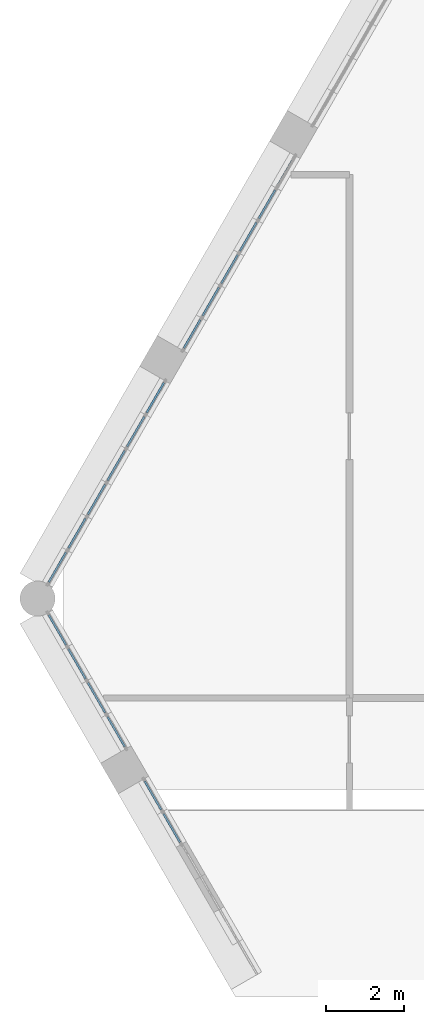
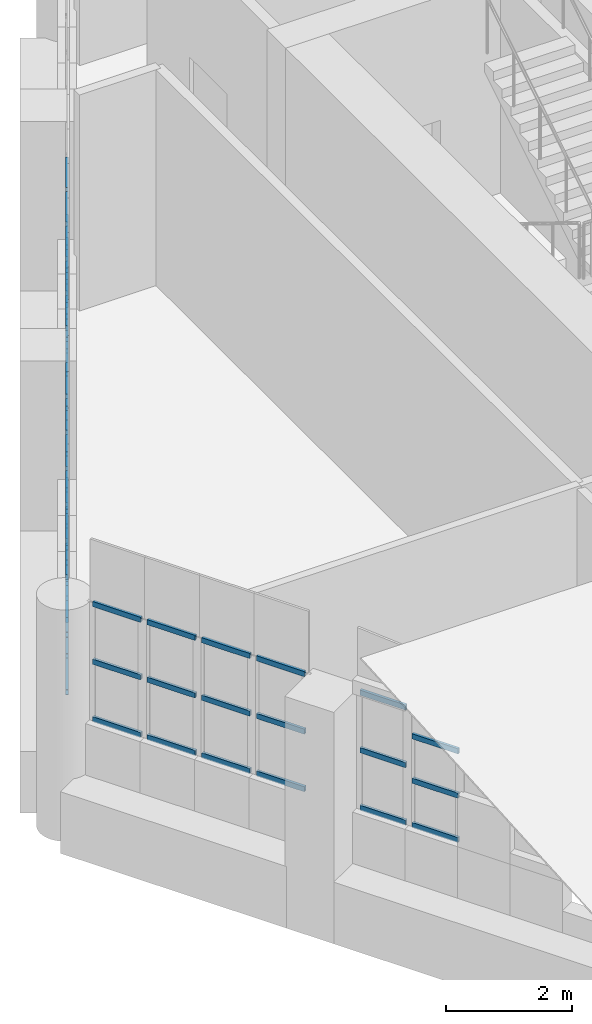
# One storey, part 13 of 23: 52 members, 18 elements without a shape of their own.
"""IFC4 building model written with IfcOpenShell, lengths in metres."""

from ifc_helpers import new_model, si_unit, direction, frame, origin, origin_2d, place, context, subcontext, project, spatial, hollow_rectangle, extrude, material, material_profile, profile_set, type_object, element, aggregate, save


model = new_model("IFC4")

# Units and contexts
model_context = context("Model", 3, precision=1e-05, world=origin(), true_north=direction((0.0, 1.0)))
body_context = subcontext(model_context, "Body", "Model", "MODEL_VIEW")
ifc_project = project(units=[si_unit("LENGTHUNIT", "METRE"), si_unit("AREAUNIT", "SQUARE_METRE"), si_unit("VOLUMEUNIT", "CUBIC_METRE"), si_unit("PLANEANGLEUNIT", "RADIAN"), si_unit("MASSUNIT", "GRAM", prefix="KILO")], contexts=[model_context])

# Site, building, storey
site_placement = place(None, origin())
site = spatial("IfcSite", under=ifc_project, at=site_placement, CompositionType="ELEMENT")
building_placement = place(site_placement, origin())
building = spatial("IfcBuilding", under=site, at=building_placement, Name="Ostrander Bayou Hotel Tower", CompositionType="ELEMENT")
storey_placement = place(building_placement, frame((0.0, 0.0, 279.5)))
storey = spatial("IfcBuildingStorey", under=building, at=storey_placement, Name="L69", CompositionType="ELEMENT", Elevation=279.5)

# Curtain wall, member
ifc_material_1 = material(Name="Aluminium and clear glass", Category="aluminium")
curtain_wall_type = type_object("IfcCurtainWallType", Name="CW-CROWN glazed wall", PredefinedType="NOTDEFINED", material=ifc_material_1)
curtain_wall_1_placement = place(storey_placement, origin())
curtain_wall_1 = element("IfcCurtainWall", 1, at=curtain_wall_1_placement, inside=storey, type_object=curtain_wall_type, Name="CW-CROWN L69:NW-2-1", PredefinedType="NOTDEFINED")
ifc_material_2 = material(Name="Aluminium", Category="aluminium")
ifc_material_profile = material_profile(ifc_material_2, hollow_rectangle(XDim=0.050048828125, YDim=0.10009765625, WallThickness=0.00390625, at=origin_2d()))
ifc_profile_set = profile_set([ifc_material_profile], Name="Aluminium")
member_type = type_object("IfcMemberType", Name="CW-CR transom 50 x 100 mm", PredefinedType="USERDEFINED", material=ifc_profile_set)
member_1_placement = place(storey_placement, frame((-11.92138671875, 10.138427734375, 1.030029296875), z_axis=(-0.500016035621, -0.866016145416, 0.0), x_axis=(0.866016145416, -0.500016035621, 0.0)))
member_1 = element("IfcMember", 2, at=member_1_placement, type_object=member_type, Name="CW-CROWN transom 1.1", ObjectType="TRANSOM", PredefinedType="USERDEFINED", context=body_context, shape_type="SweptSolid", body=[
    extrude(hollow_rectangle(XDim=0.050048828125, YDim=0.10009765625, WallThickness=0.00390625, at=origin_2d()), origin(), (0.0, 0.0, 1.0), 0.83984375),
])
aggregate(curtain_wall_1, [member_1])

# Curtain wall, members
curtain_wall_2_placement = place(storey_placement, origin())
curtain_wall_2 = element("IfcCurtainWall", 3, at=curtain_wall_2_placement, inside=storey, type_object=curtain_wall_type, Name="CW-CROWN L69:NW-2-2", PredefinedType="NOTDEFINED")
member_2_placement = place(storey_placement, frame((-12.4013671875, 9.30712890625, 1.030029296875), z_axis=(-0.500141944548, -0.86594343655, 0.0), x_axis=(0.86594343655, -0.500141944548, 0.0)))
member_2 = element("IfcMember", 4, at=member_2_placement, type_object=member_type, Name="CW-CROWN transom 1.1", ObjectType="TRANSOM", PredefinedType="USERDEFINED", context=body_context, shape_type="SweptSolid", body=[
    extrude(hollow_rectangle(XDim=0.050048828125, YDim=0.10009765625, WallThickness=0.00390625, at=origin_2d()), origin(), (0.0, 0.0, 1.0), 0.839599609375),
])
member_3_placement = place(storey_placement, frame((-12.4013671875, 9.30712890625, 2.14990234375), z_axis=(-0.500141944548, -0.86594343655, 0.0), x_axis=(0.86594343655, -0.500141944548, 0.0)))
member_3 = element("IfcMember", 5, at=member_3_placement, type_object=member_type, Name="CW-CROWN transom 1.2", ObjectType="TRANSOM", PredefinedType="USERDEFINED", context=body_context, shape_type="SweptSolid", body=[
    extrude(hollow_rectangle(XDim=0.050048828125, YDim=0.10009765625, WallThickness=0.00390625, at=origin_2d()), origin(), (0.0, 0.0, 1.0), 0.839599609375),
])
member_4_placement = place(storey_placement, frame((-12.4013671875, 9.30712890625, 3.27001953125), z_axis=(-0.500141944548, -0.86594343655, 0.0), x_axis=(0.86594343655, -0.500141944548, 0.0)))
member_4 = element("IfcMember", 6, at=member_4_placement, type_object=member_type, Name="CW-CROWN transom 1.3", ObjectType="TRANSOM", PredefinedType="USERDEFINED", context=body_context, shape_type="SweptSolid", body=[
    extrude(hollow_rectangle(XDim=0.050048828125, YDim=0.10009765625, WallThickness=0.00390625, at=origin_2d()), origin(), (0.0, 0.0, 1.0), 0.839599609375),
])
aggregate(curtain_wall_2, [member_2, member_3, member_4])

curtain_wall_3_placement = place(storey_placement, origin())
curtain_wall_3 = element("IfcCurtainWall", 7, at=curtain_wall_3_placement, inside=storey, type_object=curtain_wall_type, Name="CW-CROWN L69:NW-2-3", PredefinedType="NOTDEFINED")
member_5_placement = place(storey_placement, frame((-12.88134765625, 8.47607421875, 1.030029296875), z_axis=(-0.500016035621, -0.866016145416, 0.0), x_axis=(0.866016145416, -0.500016035621, 0.0)))
member_5 = element("IfcMember", 8, at=member_5_placement, type_object=member_type, Name="CW-CROWN transom 1.1", ObjectType="TRANSOM", PredefinedType="USERDEFINED", context=body_context, shape_type="SweptSolid", body=[
    extrude(hollow_rectangle(XDim=0.050048828125, YDim=0.10009765625, WallThickness=0.00390625, at=origin_2d()), origin(), (0.0, 0.0, 1.0), 0.83984375),
])
member_6_placement = place(storey_placement, frame((-12.88134765625, 8.47607421875, 2.14990234375), z_axis=(-0.500016035621, -0.866016145416, 0.0), x_axis=(0.866016145416, -0.500016035621, 0.0)))
member_6 = element("IfcMember", 9, at=member_6_placement, type_object=member_type, Name="CW-CROWN transom 1.2", ObjectType="TRANSOM", PredefinedType="USERDEFINED", context=body_context, shape_type="SweptSolid", body=[
    extrude(hollow_rectangle(XDim=0.050048828125, YDim=0.10009765625, WallThickness=0.00390625, at=origin_2d()), origin(), (0.0, 0.0, 1.0), 0.83984375),
])
member_7_placement = place(storey_placement, frame((-12.88134765625, 8.47607421875, 3.27001953125), z_axis=(-0.500016035621, -0.866016145416, 0.0), x_axis=(0.866016145416, -0.500016035621, 0.0)))
member_7 = element("IfcMember", 10, at=member_7_placement, type_object=member_type, Name="CW-CROWN transom 1.3", ObjectType="TRANSOM", PredefinedType="USERDEFINED", context=body_context, shape_type="SweptSolid", body=[
    extrude(hollow_rectangle(XDim=0.050048828125, YDim=0.10009765625, WallThickness=0.00390625, at=origin_2d()), origin(), (0.0, 0.0, 1.0), 0.83984375),
])
aggregate(curtain_wall_3, [member_5, member_6, member_7])

curtain_wall_4_placement = place(storey_placement, origin())
curtain_wall_4 = element("IfcCurtainWall", 11, at=curtain_wall_4_placement, inside=storey, type_object=curtain_wall_type, Name="CW-CROWN L69:NW-2-4", PredefinedType="NOTDEFINED")
member_8_placement = place(storey_placement, frame((-13.361083984375, 7.644775390625, 1.030029296875), z_axis=(-0.500016035621, -0.866016145416, 0.0), x_axis=(0.866016145416, -0.500016035621, 0.0)))
member_8 = element("IfcMember", 12, at=member_8_placement, type_object=member_type, Name="CW-CROWN transom 1.1", ObjectType="TRANSOM", PredefinedType="USERDEFINED", context=body_context, shape_type="SweptSolid", body=[
    extrude(hollow_rectangle(XDim=0.050048828125, YDim=0.10009765625, WallThickness=0.00390625, at=origin_2d()), origin(), (0.0, 0.0, 1.0), 0.83984375),
])
member_9_placement = place(storey_placement, frame((-13.361083984375, 7.644775390625, 2.14990234375), z_axis=(-0.500016035621, -0.866016145416, 0.0), x_axis=(0.866016145416, -0.500016035621, 0.0)))
member_9 = element("IfcMember", 13, at=member_9_placement, type_object=member_type, Name="CW-CROWN transom 1.2", ObjectType="TRANSOM", PredefinedType="USERDEFINED", context=body_context, shape_type="SweptSolid", body=[
    extrude(hollow_rectangle(XDim=0.050048828125, YDim=0.10009765625, WallThickness=0.00390625, at=origin_2d()), origin(), (0.0, 0.0, 1.0), 0.83984375),
])
member_10_placement = place(storey_placement, frame((-13.361083984375, 7.644775390625, 3.27001953125), z_axis=(-0.500016035621, -0.866016145416, 0.0), x_axis=(0.866016145416, -0.500016035621, 0.0)))
member_10 = element("IfcMember", 14, at=member_10_placement, type_object=member_type, Name="CW-CROWN transom 1.3", ObjectType="TRANSOM", PredefinedType="USERDEFINED", context=body_context, shape_type="SweptSolid", body=[
    extrude(hollow_rectangle(XDim=0.050048828125, YDim=0.10009765625, WallThickness=0.00390625, at=origin_2d()), origin(), (0.0, 0.0, 1.0), 0.83984375),
])
aggregate(curtain_wall_4, [member_8, member_9, member_10])

curtain_wall_5_placement = place(storey_placement, origin())
curtain_wall_5 = element("IfcCurtainWall", 15, at=curtain_wall_5_placement, inside=storey, type_object=curtain_wall_type, Name="CW-CROWN L69:NW-2-5", PredefinedType="NOTDEFINED")
member_11_placement = place(storey_placement, frame((-13.841064453125, 6.8134765625, 1.030029296875), z_axis=(-0.500016035621, -0.866016145416, 0.0), x_axis=(0.866016145416, -0.500016035621, 0.0)))
member_11 = element("IfcMember", 16, at=member_11_placement, type_object=member_type, Name="CW-CROWN transom 1.1", ObjectType="TRANSOM", PredefinedType="USERDEFINED", context=body_context, shape_type="SweptSolid", body=[
    extrude(hollow_rectangle(XDim=0.050048828125, YDim=0.10009765625, WallThickness=0.00390625, at=origin_2d()), origin(), (0.0, 0.0, 1.0), 0.83984375),
])
member_12_placement = place(storey_placement, frame((-13.841064453125, 6.8134765625, 2.14990234375), z_axis=(-0.500016035621, -0.866016145416, 0.0), x_axis=(0.866016145416, -0.500016035621, 0.0)))
member_12 = element("IfcMember", 17, at=member_12_placement, type_object=member_type, Name="CW-CROWN transom 1.2", ObjectType="TRANSOM", PredefinedType="USERDEFINED", context=body_context, shape_type="SweptSolid", body=[
    extrude(hollow_rectangle(XDim=0.050048828125, YDim=0.10009765625, WallThickness=0.00390625, at=origin_2d()), origin(), (0.0, 0.0, 1.0), 0.83984375),
])
member_13_placement = place(storey_placement, frame((-13.841064453125, 6.8134765625, 3.27001953125), z_axis=(-0.500016035621, -0.866016145416, 0.0), x_axis=(0.866016145416, -0.500016035621, 0.0)))
member_13 = element("IfcMember", 18, at=member_13_placement, type_object=member_type, Name="CW-CROWN transom 1.3", ObjectType="TRANSOM", PredefinedType="USERDEFINED", context=body_context, shape_type="SweptSolid", body=[
    extrude(hollow_rectangle(XDim=0.050048828125, YDim=0.10009765625, WallThickness=0.00390625, at=origin_2d()), origin(), (0.0, 0.0, 1.0), 0.83984375),
])
aggregate(curtain_wall_5, [member_11, member_12, member_13])

curtain_wall_6_placement = place(storey_placement, origin())
curtain_wall_6 = element("IfcCurtainWall", 19, at=curtain_wall_6_placement, inside=storey, type_object=curtain_wall_type, Name="CW-CROWN L69:NW-2-6", PredefinedType="NOTDEFINED")
member_14_placement = place(storey_placement, frame((-14.321044921875, 5.982421875, 1.030029296875), z_axis=(-0.500016035621, -0.866016145416, 0.0), x_axis=(0.866016145416, -0.500016035621, 0.0)))
member_14 = element("IfcMember", 20, at=member_14_placement, type_object=member_type, Name="CW-CROWN transom 1.1", ObjectType="TRANSOM", PredefinedType="USERDEFINED", context=body_context, shape_type="SweptSolid", body=[
    extrude(hollow_rectangle(XDim=0.050048828125, YDim=0.10009765625, WallThickness=0.00390625, at=origin_2d()), origin(), (0.0, 0.0, 1.0), 0.83984375),
])
member_15_placement = place(storey_placement, frame((-14.321044921875, 5.982421875, 2.14990234375), z_axis=(-0.500016035621, -0.866016145416, 0.0), x_axis=(0.866016145416, -0.500016035621, 0.0)))
member_15 = element("IfcMember", 21, at=member_15_placement, type_object=member_type, Name="CW-CROWN transom 1.2", ObjectType="TRANSOM", PredefinedType="USERDEFINED", context=body_context, shape_type="SweptSolid", body=[
    extrude(hollow_rectangle(XDim=0.050048828125, YDim=0.10009765625, WallThickness=0.00390625, at=origin_2d()), origin(), (0.0, 0.0, 1.0), 0.83984375),
])
member_16_placement = place(storey_placement, frame((-14.321044921875, 5.982421875, 3.27001953125), z_axis=(-0.500016035621, -0.866016145416, 0.0), x_axis=(0.866016145416, -0.500016035621, 0.0)))
member_16 = element("IfcMember", 22, at=member_16_placement, type_object=member_type, Name="CW-CROWN transom 1.3", ObjectType="TRANSOM", PredefinedType="USERDEFINED", context=body_context, shape_type="SweptSolid", body=[
    extrude(hollow_rectangle(XDim=0.050048828125, YDim=0.10009765625, WallThickness=0.00390625, at=origin_2d()), origin(), (0.0, 0.0, 1.0), 0.83984375),
])
aggregate(curtain_wall_6, [member_14, member_15, member_16])

curtain_wall_7_placement = place(storey_placement, origin())
curtain_wall_7 = element("IfcCurtainWall", 23, at=curtain_wall_7_placement, inside=storey, type_object=curtain_wall_type, Name="CW-CROWN L69:NW-3-1", PredefinedType="NOTDEFINED")
member_17_placement = place(storey_placement, frame((-15.2509765625, 4.371826171875, 1.030029296875), z_axis=(-0.499826157957, -0.866125748273, 0.0), x_axis=(0.866125748273, -0.499826157957, 0.0)))
member_17 = element("IfcMember", 24, at=member_17_placement, type_object=member_type, Name="CW-CROWN transom 1.1", ObjectType="TRANSOM", PredefinedType="USERDEFINED", context=body_context, shape_type="SweptSolid", body=[
    extrude(hollow_rectangle(XDim=0.050048828125, YDim=0.10009765625, WallThickness=0.00390625, at=origin_2d()), origin(), (0.0, 0.0, 1.0), 0.883056640625),
])
member_18_placement = place(storey_placement, frame((-15.2509765625, 4.371826171875, 2.14990234375), z_axis=(-0.499826157957, -0.866125748273, 0.0), x_axis=(0.866125748273, -0.499826157957, 0.0)))
member_18 = element("IfcMember", 25, at=member_18_placement, type_object=member_type, Name="CW-CROWN transom 1.2", ObjectType="TRANSOM", PredefinedType="USERDEFINED", context=body_context, shape_type="SweptSolid", body=[
    extrude(hollow_rectangle(XDim=0.050048828125, YDim=0.10009765625, WallThickness=0.00390625, at=origin_2d()), origin(), (0.0, 0.0, 1.0), 0.883056640625),
])
member_19_placement = place(storey_placement, frame((-15.2509765625, 4.371826171875, 3.27001953125), z_axis=(-0.499826157957, -0.866125748273, 0.0), x_axis=(0.866125748273, -0.499826157957, 0.0)))
member_19 = element("IfcMember", 26, at=member_19_placement, type_object=member_type, Name="CW-CROWN transom 1.3", ObjectType="TRANSOM", PredefinedType="USERDEFINED", context=body_context, shape_type="SweptSolid", body=[
    extrude(hollow_rectangle(XDim=0.050048828125, YDim=0.10009765625, WallThickness=0.00390625, at=origin_2d()), origin(), (0.0, 0.0, 1.0), 0.883056640625),
])
aggregate(curtain_wall_7, [member_17, member_18, member_19])

curtain_wall_8_placement = place(storey_placement, origin())
curtain_wall_8 = element("IfcCurtainWall", 27, at=curtain_wall_8_placement, inside=storey, type_object=curtain_wall_type, Name="CW-CROWN L69:NW-3-2", PredefinedType="NOTDEFINED")
member_20_placement = place(storey_placement, frame((-15.75244140625, 3.5029296875, 1.030029296875), z_axis=(-0.500153222552, -0.865936922628, 0.0), x_axis=(0.865936922628, -0.500153222552, 0.0)))
member_20 = element("IfcMember", 28, at=member_20_placement, type_object=member_type, Name="CW-CROWN transom 1.1", ObjectType="TRANSOM", PredefinedType="USERDEFINED", context=body_context, shape_type="SweptSolid", body=[
    extrude(hollow_rectangle(XDim=0.050048828125, YDim=0.10009765625, WallThickness=0.00390625, at=origin_2d()), origin(), (0.0, 0.0, 1.0), 0.883056640625),
])
member_21_placement = place(storey_placement, frame((-15.75244140625, 3.5029296875, 2.14990234375), z_axis=(-0.500153222552, -0.865936922628, 0.0), x_axis=(0.865936922628, -0.500153222552, 0.0)))
member_21 = element("IfcMember", 29, at=member_21_placement, type_object=member_type, Name="CW-CROWN transom 1.2", ObjectType="TRANSOM", PredefinedType="USERDEFINED", context=body_context, shape_type="SweptSolid", body=[
    extrude(hollow_rectangle(XDim=0.050048828125, YDim=0.10009765625, WallThickness=0.00390625, at=origin_2d()), origin(), (0.0, 0.0, 1.0), 0.883056640625),
])
member_22_placement = place(storey_placement, frame((-15.75244140625, 3.5029296875, 3.27001953125), z_axis=(-0.500153222552, -0.865936922628, 0.0), x_axis=(0.865936922628, -0.500153222552, 0.0)))
member_22 = element("IfcMember", 30, at=member_22_placement, type_object=member_type, Name="CW-CROWN transom 1.3", ObjectType="TRANSOM", PredefinedType="USERDEFINED", context=body_context, shape_type="SweptSolid", body=[
    extrude(hollow_rectangle(XDim=0.050048828125, YDim=0.10009765625, WallThickness=0.00390625, at=origin_2d()), origin(), (0.0, 0.0, 1.0), 0.883056640625),
])
aggregate(curtain_wall_8, [member_20, member_21, member_22])

curtain_wall_9_placement = place(storey_placement, origin())
curtain_wall_9 = element("IfcCurtainWall", 31, at=curtain_wall_9_placement, inside=storey, type_object=curtain_wall_type, Name="CW-CROWN L69:NW-3-3", PredefinedType="NOTDEFINED")
member_23_placement = place(storey_placement, frame((-16.25390625, 2.63427734375, 1.030029296875), z_axis=(-0.500153222552, -0.865936922628, 0.0), x_axis=(0.865936922628, -0.500153222552, 0.0)))
member_23 = element("IfcMember", 32, at=member_23_placement, type_object=member_type, Name="CW-CROWN transom 1.1", ObjectType="TRANSOM", PredefinedType="USERDEFINED", context=body_context, shape_type="SweptSolid", body=[
    extrude(hollow_rectangle(XDim=0.050048828125, YDim=0.10009765625, WallThickness=0.00390625, at=origin_2d()), origin(), (0.0, 0.0, 1.0), 0.883056640625),
])
member_24_placement = place(storey_placement, frame((-16.25390625, 2.63427734375, 2.14990234375), z_axis=(-0.500153222552, -0.865936922628, 0.0), x_axis=(0.865936922628, -0.500153222552, 0.0)))
member_24 = element("IfcMember", 33, at=member_24_placement, type_object=member_type, Name="CW-CROWN transom 1.2", ObjectType="TRANSOM", PredefinedType="USERDEFINED", context=body_context, shape_type="SweptSolid", body=[
    extrude(hollow_rectangle(XDim=0.050048828125, YDim=0.10009765625, WallThickness=0.00390625, at=origin_2d()), origin(), (0.0, 0.0, 1.0), 0.883056640625),
])
member_25_placement = place(storey_placement, frame((-16.25390625, 2.63427734375, 3.27001953125), z_axis=(-0.500153222552, -0.865936922628, 0.0), x_axis=(0.865936922628, -0.500153222552, 0.0)))
member_25 = element("IfcMember", 34, at=member_25_placement, type_object=member_type, Name="CW-CROWN transom 1.3", ObjectType="TRANSOM", PredefinedType="USERDEFINED", context=body_context, shape_type="SweptSolid", body=[
    extrude(hollow_rectangle(XDim=0.050048828125, YDim=0.10009765625, WallThickness=0.00390625, at=origin_2d()), origin(), (0.0, 0.0, 1.0), 0.883056640625),
])
aggregate(curtain_wall_9, [member_23, member_24, member_25])

curtain_wall_10_placement = place(storey_placement, origin())
curtain_wall_10 = element("IfcCurtainWall", 35, at=curtain_wall_10_placement, inside=storey, type_object=curtain_wall_type, Name="CW-CROWN L69:NW-3-4", PredefinedType="NOTDEFINED")
member_26_placement = place(storey_placement, frame((-16.755615234375, 1.765625, 1.030029296875), z_axis=(-0.499945861543, -0.866056658381, 0.0), x_axis=(0.866056658381, -0.499945861543, 0.0)))
member_26 = element("IfcMember", 36, at=member_26_placement, type_object=member_type, Name="CW-CROWN transom 1.1", ObjectType="TRANSOM", PredefinedType="USERDEFINED", context=body_context, shape_type="SweptSolid", body=[
    extrude(hollow_rectangle(XDim=0.050048828125, YDim=0.10009765625, WallThickness=0.00390625, at=origin_2d()), origin(), (0.0, 0.0, 1.0), 0.8828125),
])
member_27_placement = place(storey_placement, frame((-16.755615234375, 1.765625, 2.14990234375), z_axis=(-0.499945861543, -0.866056658381, 0.0), x_axis=(0.866056658381, -0.499945861543, 0.0)))
member_27 = element("IfcMember", 37, at=member_27_placement, type_object=member_type, Name="CW-CROWN transom 1.2", ObjectType="TRANSOM", PredefinedType="USERDEFINED", context=body_context, shape_type="SweptSolid", body=[
    extrude(hollow_rectangle(XDim=0.050048828125, YDim=0.10009765625, WallThickness=0.00390625, at=origin_2d()), origin(), (0.0, 0.0, 1.0), 0.8828125),
])
member_28_placement = place(storey_placement, frame((-16.755615234375, 1.765625, 3.27001953125), z_axis=(-0.499945861543, -0.866056658381, 0.0), x_axis=(0.866056658381, -0.499945861543, 0.0)))
member_28 = element("IfcMember", 38, at=member_28_placement, type_object=member_type, Name="CW-CROWN transom 1.3", ObjectType="TRANSOM", PredefinedType="USERDEFINED", context=body_context, shape_type="SweptSolid", body=[
    extrude(hollow_rectangle(XDim=0.050048828125, YDim=0.10009765625, WallThickness=0.00390625, at=origin_2d()), origin(), (0.0, 0.0, 1.0), 0.8828125),
])
aggregate(curtain_wall_10, [member_26, member_27, member_28])

curtain_wall_11_placement = place(storey_placement, origin())
curtain_wall_11 = element("IfcCurtainWall", 39, at=curtain_wall_11_placement, inside=storey, type_object=curtain_wall_type, Name="CW-CROWN L69:NW-3-5", PredefinedType="NOTDEFINED")
member_29_placement = place(storey_placement, frame((-17.257080078125, 0.89697265625, 1.030029296875), z_axis=(-0.499945861543, -0.866056658381, 0.0), x_axis=(0.866056658381, -0.499945861543, 0.0)))
member_29 = element("IfcMember", 40, at=member_29_placement, type_object=member_type, Name="CW-CROWN transom 1.1", ObjectType="TRANSOM", PredefinedType="USERDEFINED", context=body_context, shape_type="SweptSolid", body=[
    extrude(hollow_rectangle(XDim=0.050048828125, YDim=0.10009765625, WallThickness=0.00390625, at=origin_2d()), origin(), (0.0, 0.0, 1.0), 0.8828125),
])
member_30_placement = place(storey_placement, frame((-17.257080078125, 0.89697265625, 2.14990234375), z_axis=(-0.499945861543, -0.866056658381, 0.0), x_axis=(0.866056658381, -0.499945861543, 0.0)))
member_30 = element("IfcMember", 41, at=member_30_placement, type_object=member_type, Name="CW-CROWN transom 1.2", ObjectType="TRANSOM", PredefinedType="USERDEFINED", context=body_context, shape_type="SweptSolid", body=[
    extrude(hollow_rectangle(XDim=0.050048828125, YDim=0.10009765625, WallThickness=0.00390625, at=origin_2d()), origin(), (0.0, 0.0, 1.0), 0.8828125),
])
member_31_placement = place(storey_placement, frame((-17.257080078125, 0.89697265625, 3.27001953125), z_axis=(-0.499945861543, -0.866056658381, 0.0), x_axis=(0.866056658381, -0.499945861543, 0.0)))
member_31 = element("IfcMember", 42, at=member_31_placement, type_object=member_type, Name="CW-CROWN transom 1.3", ObjectType="TRANSOM", PredefinedType="USERDEFINED", context=body_context, shape_type="SweptSolid", body=[
    extrude(hollow_rectangle(XDim=0.050048828125, YDim=0.10009765625, WallThickness=0.00390625, at=origin_2d()), origin(), (0.0, 0.0, 1.0), 0.8828125),
])
aggregate(curtain_wall_11, [member_29, member_30, member_31])

curtain_wall_12_placement = place(storey_placement, origin())
curtain_wall_12 = element("IfcCurtainWall", 43, at=curtain_wall_12_placement, inside=storey, type_object=curtain_wall_type, Name="CW-CROWN L69:NW-3-6", PredefinedType="NOTDEFINED")
member_32_placement = place(storey_placement, frame((-17.758544921875, 0.0283203125, 1.030029296875), z_axis=(-0.500153222552, -0.865936922628, 0.0), x_axis=(0.865936922628, -0.500153222552, 0.0)))
member_32 = element("IfcMember", 44, at=member_32_placement, type_object=member_type, Name="CW-CROWN transom 1.1", ObjectType="TRANSOM", PredefinedType="USERDEFINED", context=body_context, shape_type="SweptSolid", body=[
    extrude(hollow_rectangle(XDim=0.050048828125, YDim=0.10009765625, WallThickness=0.00390625, at=origin_2d()), origin(), (0.0, 0.0, 1.0), 0.883056640625),
])
member_33_placement = place(storey_placement, frame((-17.758544921875, 0.0283203125, 2.14990234375), z_axis=(-0.500153222552, -0.865936922628, 0.0), x_axis=(0.865936922628, -0.500153222552, 0.0)))
member_33 = element("IfcMember", 45, at=member_33_placement, type_object=member_type, Name="CW-CROWN transom 1.2", ObjectType="TRANSOM", PredefinedType="USERDEFINED", context=body_context, shape_type="SweptSolid", body=[
    extrude(hollow_rectangle(XDim=0.050048828125, YDim=0.10009765625, WallThickness=0.00390625, at=origin_2d()), origin(), (0.0, 0.0, 1.0), 0.883056640625),
])
member_34_placement = place(storey_placement, frame((-17.758544921875, 0.0283203125, 3.27001953125), z_axis=(-0.500153222552, -0.865936922628, 0.0), x_axis=(0.865936922628, -0.500153222552, 0.0)))
member_34 = element("IfcMember", 46, at=member_34_placement, type_object=member_type, Name="CW-CROWN transom 1.3", ObjectType="TRANSOM", PredefinedType="USERDEFINED", context=body_context, shape_type="SweptSolid", body=[
    extrude(hollow_rectangle(XDim=0.050048828125, YDim=0.10009765625, WallThickness=0.00390625, at=origin_2d()), origin(), (0.0, 0.0, 1.0), 0.883056640625),
])
aggregate(curtain_wall_12, [member_32, member_33, member_34])

curtain_wall_13_placement = place(storey_placement, origin())
curtain_wall_13 = element("IfcCurtainWall", 47, at=curtain_wall_13_placement, inside=storey, type_object=curtain_wall_type, Name="CW-CROWN L69:SW-1-1", PredefinedType="NOTDEFINED")
member_35_placement = place(storey_placement, frame((-18.199951171875, -1.57666015625, 1.030029296875), z_axis=(0.500001430823, -0.866024577697, 0.0), x_axis=(0.866024577697, 0.500001430823, 0.0)))
member_35 = element("IfcMember", 48, at=member_35_placement, type_object=member_type, Name="CW-CROWN transom 1.1", ObjectType="TRANSOM", PredefinedType="USERDEFINED", context=body_context, shape_type="SweptSolid", body=[
    extrude(hollow_rectangle(XDim=0.050048828125, YDim=0.10009765625, WallThickness=0.00390625, at=origin_2d()), origin(), (0.0, 0.0, 1.0), 0.8837890625),
])
member_36_placement = place(storey_placement, frame((-18.199951171875, -1.57666015625, 2.14990234375), z_axis=(0.500001430823, -0.866024577697, 0.0), x_axis=(0.866024577697, 0.500001430823, 0.0)))
member_36 = element("IfcMember", 49, at=member_36_placement, type_object=member_type, Name="CW-CROWN transom 1.2", ObjectType="TRANSOM", PredefinedType="USERDEFINED", context=body_context, shape_type="SweptSolid", body=[
    extrude(hollow_rectangle(XDim=0.050048828125, YDim=0.10009765625, WallThickness=0.00390625, at=origin_2d()), origin(), (0.0, 0.0, 1.0), 0.8837890625),
])
member_37_placement = place(storey_placement, frame((-18.199951171875, -1.57666015625, 3.27001953125), z_axis=(0.500001430823, -0.866024577697, 0.0), x_axis=(0.866024577697, 0.500001430823, 0.0)))
member_37 = element("IfcMember", 50, at=member_37_placement, type_object=member_type, Name="CW-CROWN transom 1.3", ObjectType="TRANSOM", PredefinedType="USERDEFINED", context=body_context, shape_type="SweptSolid", body=[
    extrude(hollow_rectangle(XDim=0.050048828125, YDim=0.10009765625, WallThickness=0.00390625, at=origin_2d()), origin(), (0.0, 0.0, 1.0), 0.8837890625),
])
aggregate(curtain_wall_13, [member_35, member_36, member_37])

curtain_wall_14_placement = place(storey_placement, origin())
curtain_wall_14 = element("IfcCurtainWall", 51, at=curtain_wall_14_placement, inside=storey, type_object=curtain_wall_type, Name="CW-CROWN L69:SW-1-2", PredefinedType="NOTDEFINED")
member_38_placement = place(storey_placement, frame((-17.697998046875, -2.446044921875, 1.030029296875), z_axis=(0.500001430823, -0.866024577697, 0.0), x_axis=(0.866024577697, 0.500001430823, 0.0)))
member_38 = element("IfcMember", 52, at=member_38_placement, type_object=member_type, Name="CW-CROWN transom 1.1", ObjectType="TRANSOM", PredefinedType="USERDEFINED", context=body_context, shape_type="SweptSolid", body=[
    extrude(hollow_rectangle(XDim=0.050048828125, YDim=0.10009765625, WallThickness=0.00390625, at=origin_2d()), origin(), (0.0, 0.0, 1.0), 0.8837890625),
])
member_39_placement = place(storey_placement, frame((-17.697998046875, -2.446044921875, 2.14990234375), z_axis=(0.500001430823, -0.866024577697, 0.0), x_axis=(0.866024577697, 0.500001430823, 0.0)))
member_39 = element("IfcMember", 53, at=member_39_placement, type_object=member_type, Name="CW-CROWN transom 1.2", ObjectType="TRANSOM", PredefinedType="USERDEFINED", context=body_context, shape_type="SweptSolid", body=[
    extrude(hollow_rectangle(XDim=0.050048828125, YDim=0.10009765625, WallThickness=0.00390625, at=origin_2d()), origin(), (0.0, 0.0, 1.0), 0.8837890625),
])
member_40_placement = place(storey_placement, frame((-17.697998046875, -2.446044921875, 3.27001953125), z_axis=(0.500001430823, -0.866024577697, 0.0), x_axis=(0.866024577697, 0.500001430823, 0.0)))
member_40 = element("IfcMember", 54, at=member_40_placement, type_object=member_type, Name="CW-CROWN transom 1.3", ObjectType="TRANSOM", PredefinedType="USERDEFINED", context=body_context, shape_type="SweptSolid", body=[
    extrude(hollow_rectangle(XDim=0.050048828125, YDim=0.10009765625, WallThickness=0.00390625, at=origin_2d()), origin(), (0.0, 0.0, 1.0), 0.8837890625),
])
aggregate(curtain_wall_14, [member_38, member_39, member_40])

curtain_wall_15_placement = place(storey_placement, origin())
curtain_wall_15 = element("IfcCurtainWall", 55, at=curtain_wall_15_placement, inside=storey, type_object=curtain_wall_type, Name="CW-CROWN L69:SW-1-3", PredefinedType="NOTDEFINED")
member_41_placement = place(storey_placement, frame((-17.1962890625, -3.315185546875, 1.030029296875), z_axis=(0.499881837328, -0.866093614288, 0.0), x_axis=(0.866093614288, 0.499881837328, 0.0)))
member_41 = element("IfcMember", 56, at=member_41_placement, type_object=member_type, Name="CW-CROWN transom 1.1", ObjectType="TRANSOM", PredefinedType="USERDEFINED", context=body_context, shape_type="SweptSolid", body=[
    extrude(hollow_rectangle(XDim=0.050048828125, YDim=0.10009765625, WallThickness=0.00390625, at=origin_2d()), origin(), (0.0, 0.0, 1.0), 0.884033203125),
])
member_42_placement = place(storey_placement, frame((-17.1962890625, -3.315185546875, 2.14990234375), z_axis=(0.499881837328, -0.866093614288, 0.0), x_axis=(0.866093614288, 0.499881837328, 0.0)))
member_42 = element("IfcMember", 57, at=member_42_placement, type_object=member_type, Name="CW-CROWN transom 1.2", ObjectType="TRANSOM", PredefinedType="USERDEFINED", context=body_context, shape_type="SweptSolid", body=[
    extrude(hollow_rectangle(XDim=0.050048828125, YDim=0.10009765625, WallThickness=0.00390625, at=origin_2d()), origin(), (0.0, 0.0, 1.0), 0.884033203125),
])
member_43_placement = place(storey_placement, frame((-17.1962890625, -3.315185546875, 3.27001953125), z_axis=(0.499881837328, -0.866093614288, 0.0), x_axis=(0.866093614288, 0.499881837328, 0.0)))
member_43 = element("IfcMember", 58, at=member_43_placement, type_object=member_type, Name="CW-CROWN transom 1.3", ObjectType="TRANSOM", PredefinedType="USERDEFINED", context=body_context, shape_type="SweptSolid", body=[
    extrude(hollow_rectangle(XDim=0.050048828125, YDim=0.10009765625, WallThickness=0.00390625, at=origin_2d()), origin(), (0.0, 0.0, 1.0), 0.884033203125),
])
aggregate(curtain_wall_15, [member_41, member_42, member_43])

curtain_wall_16_placement = place(storey_placement, origin())
curtain_wall_16 = element("IfcCurtainWall", 59, at=curtain_wall_16_placement, inside=storey, type_object=curtain_wall_type, Name="CW-CROWN L69:SW-1-4", PredefinedType="NOTDEFINED")
member_44_placement = place(storey_placement, frame((-16.6943359375, -4.1845703125, 1.030029296875), z_axis=(0.500001430823, -0.866024577697, 0.0), x_axis=(0.866024577697, 0.500001430823, 0.0)))
member_44 = element("IfcMember", 60, at=member_44_placement, type_object=member_type, Name="CW-CROWN transom 1.1", ObjectType="TRANSOM", PredefinedType="USERDEFINED", context=body_context, shape_type="SweptSolid", body=[
    extrude(hollow_rectangle(XDim=0.050048828125, YDim=0.10009765625, WallThickness=0.00390625, at=origin_2d()), origin(), (0.0, 0.0, 1.0), 0.8837890625),
])
member_45_placement = place(storey_placement, frame((-16.6943359375, -4.1845703125, 2.14990234375), z_axis=(0.500001430823, -0.866024577697, 0.0), x_axis=(0.866024577697, 0.500001430823, 0.0)))
member_45 = element("IfcMember", 61, at=member_45_placement, type_object=member_type, Name="CW-CROWN transom 1.2", ObjectType="TRANSOM", PredefinedType="USERDEFINED", context=body_context, shape_type="SweptSolid", body=[
    extrude(hollow_rectangle(XDim=0.050048828125, YDim=0.10009765625, WallThickness=0.00390625, at=origin_2d()), origin(), (0.0, 0.0, 1.0), 0.8837890625),
])
member_46_placement = place(storey_placement, frame((-16.6943359375, -4.1845703125, 3.27001953125), z_axis=(0.500001430823, -0.866024577697, 0.0), x_axis=(0.866024577697, 0.500001430823, 0.0)))
member_46 = element("IfcMember", 62, at=member_46_placement, type_object=member_type, Name="CW-CROWN transom 1.3", ObjectType="TRANSOM", PredefinedType="USERDEFINED", context=body_context, shape_type="SweptSolid", body=[
    extrude(hollow_rectangle(XDim=0.050048828125, YDim=0.10009765625, WallThickness=0.00390625, at=origin_2d()), origin(), (0.0, 0.0, 1.0), 0.8837890625),
])
aggregate(curtain_wall_16, [member_44, member_45, member_46])

curtain_wall_17_placement = place(storey_placement, origin())
curtain_wall_17 = element("IfcCurtainWall", 63, at=curtain_wall_17_placement, inside=storey, type_object=curtain_wall_type, Name="CW-CROWN L69:SW-2-1", PredefinedType="NOTDEFINED")
member_47_placement = place(storey_placement, frame((-15.742431640625, -5.833251953125, 1.030029296875), z_axis=(0.499930913282, -0.866065287345, 0.0), x_axis=(0.866065287345, 0.499930913282, 0.0)))
member_47 = element("IfcMember", 64, at=member_47_placement, type_object=member_type, Name="CW-CROWN transom 1.1", ObjectType="TRANSOM", PredefinedType="USERDEFINED", context=body_context, shape_type="SweptSolid", body=[
    extrude(hollow_rectangle(XDim=0.050048828125, YDim=0.10009765625, WallThickness=0.00390625, at=origin_2d()), origin(), (0.0, 0.0, 1.0), 0.8447265625),
])
member_48_placement = place(storey_placement, frame((-15.742431640625, -5.833251953125, 2.14990234375), z_axis=(0.499930913282, -0.866065287345, 0.0), x_axis=(0.866065287345, 0.499930913282, 0.0)))
member_48 = element("IfcMember", 65, at=member_48_placement, type_object=member_type, Name="CW-CROWN transom 1.2", ObjectType="TRANSOM", PredefinedType="USERDEFINED", context=body_context, shape_type="SweptSolid", body=[
    extrude(hollow_rectangle(XDim=0.050048828125, YDim=0.10009765625, WallThickness=0.00390625, at=origin_2d()), origin(), (0.0, 0.0, 1.0), 0.8447265625),
])
member_49_placement = place(storey_placement, frame((-15.742431640625, -5.833251953125, 3.27001953125), z_axis=(0.499930913282, -0.866065287345, 0.0), x_axis=(0.866065287345, 0.499930913282, 0.0)))
member_49 = element("IfcMember", 66, at=member_49_placement, type_object=member_type, Name="CW-CROWN transom 1.3", ObjectType="TRANSOM", PredefinedType="USERDEFINED", context=body_context, shape_type="SweptSolid", body=[
    extrude(hollow_rectangle(XDim=0.050048828125, YDim=0.10009765625, WallThickness=0.00390625, at=origin_2d()), origin(), (0.0, 0.0, 1.0), 0.8447265625),
])
aggregate(curtain_wall_17, [member_47, member_48, member_49])

curtain_wall_18_placement = place(storey_placement, origin())
curtain_wall_18 = element("IfcCurtainWall", 67, at=curtain_wall_18_placement, inside=storey, type_object=curtain_wall_type, Name="CW-CROWN L69:SW-2-2", PredefinedType="NOTDEFINED")
member_50_placement = place(storey_placement, frame((-15.260009765625, -6.6689453125, 1.030029296875), z_axis=(0.499930913282, -0.866065287345, 0.0), x_axis=(0.866065287345, 0.499930913282, 0.0)))
member_50 = element("IfcMember", 68, at=member_50_placement, type_object=member_type, Name="CW-CROWN transom 1.1", ObjectType="TRANSOM", PredefinedType="USERDEFINED", context=body_context, shape_type="SweptSolid", body=[
    extrude(hollow_rectangle(XDim=0.050048828125, YDim=0.10009765625, WallThickness=0.00390625, at=origin_2d()), origin(), (0.0, 0.0, 1.0), 0.8447265625),
])
member_51_placement = place(storey_placement, frame((-15.260009765625, -6.6689453125, 1.89306640625), z_axis=(0.499930913282, -0.866065287345, 0.0), x_axis=(0.866065287345, 0.499930913282, 0.0)))
member_51 = element("IfcMember", 69, at=member_51_placement, type_object=member_type, Name="CW-CROWN transom 1.2", ObjectType="TRANSOM", PredefinedType="USERDEFINED", context=body_context, shape_type="SweptSolid", body=[
    extrude(hollow_rectangle(XDim=0.050048828125, YDim=0.10009765625, WallThickness=0.00390625, at=origin_2d()), origin(), (0.0, 0.0, 1.0), 0.8447265625),
])
member_52_placement = place(storey_placement, frame((-15.260009765625, -6.6689453125, 2.756103515625), z_axis=(0.499930913282, -0.866065287345, 0.0), x_axis=(0.866065287345, 0.499930913282, 0.0)))
member_52 = element("IfcMember", 70, at=member_52_placement, type_object=member_type, Name="CW-CROWN transom 1.3", ObjectType="TRANSOM", PredefinedType="USERDEFINED", context=body_context, shape_type="SweptSolid", body=[
    extrude(hollow_rectangle(XDim=0.050048828125, YDim=0.10009765625, WallThickness=0.00390625, at=origin_2d()), origin(), (0.0, 0.0, 1.0), 0.8447265625),
])
aggregate(curtain_wall_18, [member_50, member_51, member_52])

save(model, "model.ifc")
